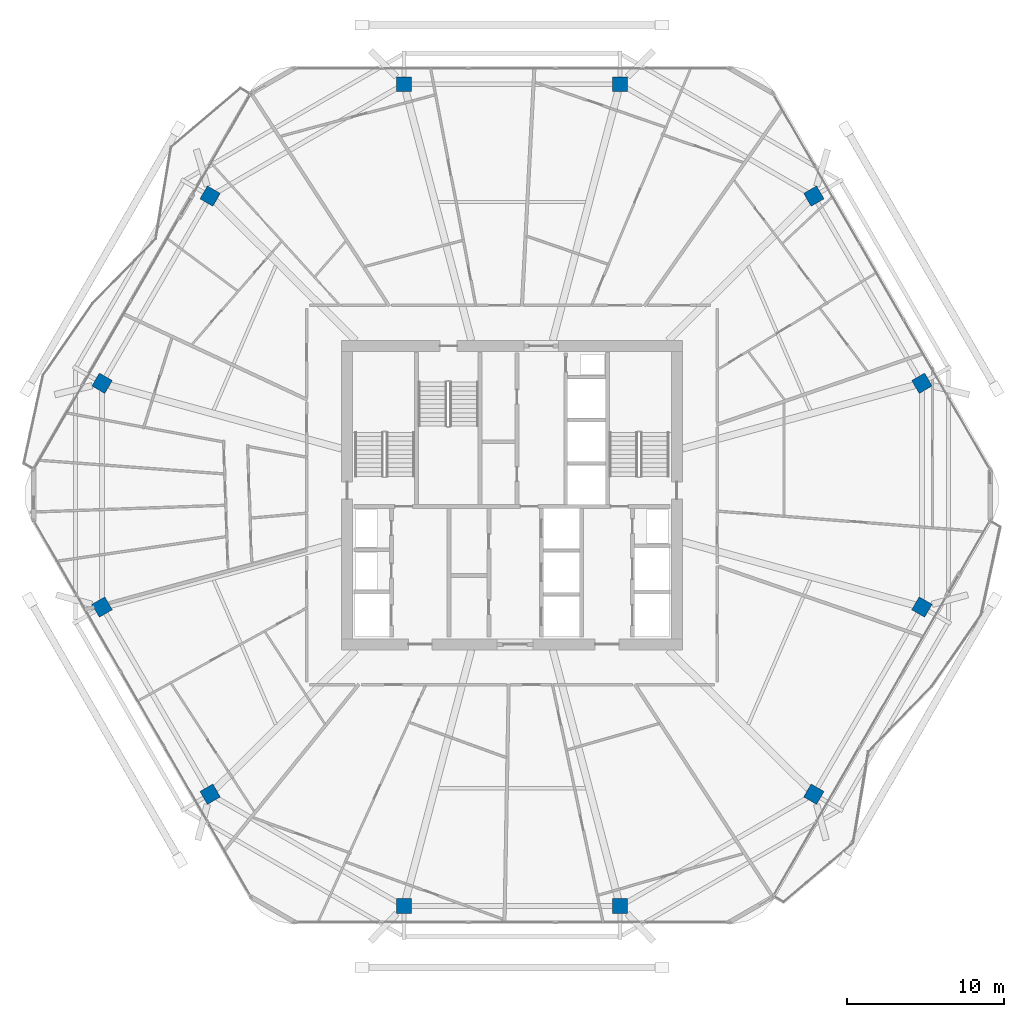
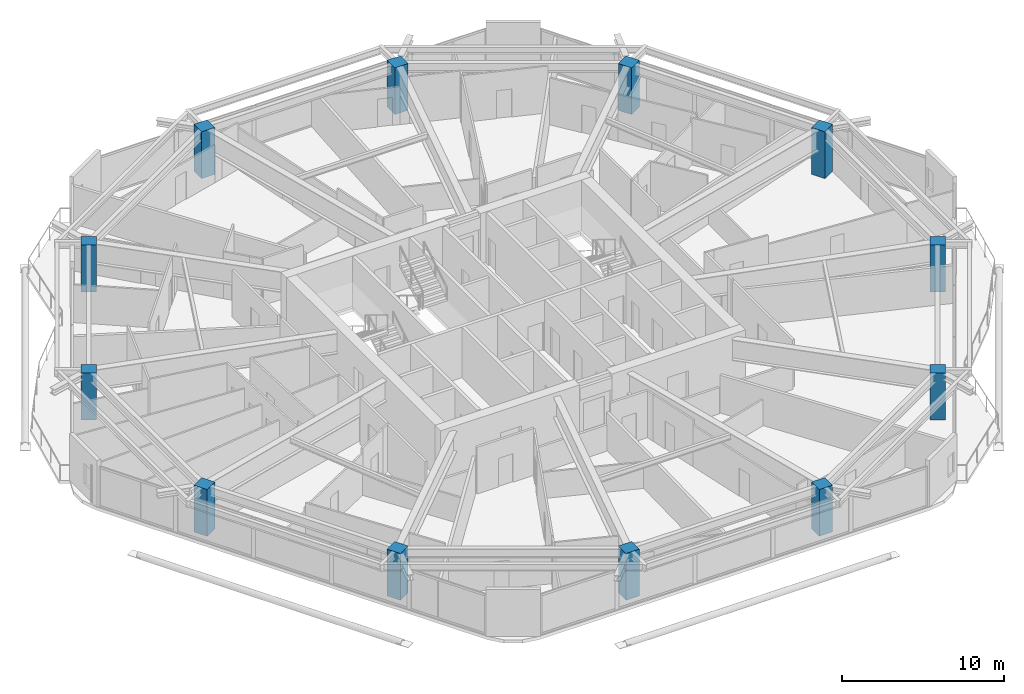
# One storey, part 1 of 28: 12 columns.
"""IFC4 building model written with IfcOpenShell, lengths in metres."""

from ifc_helpers import new_model, si_unit, direction, frame, origin, origin_2d, place, context, subcontext, project, spatial, rectangle, extrude, material, material_profile, profile_set, type_object, element, save


model = new_model("IFC4")

# Units and contexts
model_context = context("Model", 3, precision=1e-05, world=origin(), true_north=direction((0.0, 1.0)))
body_context = subcontext(model_context, "Body", "Model", "MODEL_VIEW")
ifc_project = project(units=[si_unit("LENGTHUNIT", "METRE"), si_unit("AREAUNIT", "SQUARE_METRE"), si_unit("VOLUMEUNIT", "CUBIC_METRE"), si_unit("PLANEANGLEUNIT", "RADIAN"), si_unit("MASSUNIT", "GRAM", prefix="KILO")], contexts=[model_context])

# Site, building, storey
site_placement = place(None, origin())
site = spatial("IfcSite", under=ifc_project, at=site_placement, CompositionType="ELEMENT")
building_placement = place(site_placement, origin())
building = spatial("IfcBuilding", under=site, at=building_placement, Name="Zuhravey Tower", CompositionType="ELEMENT")
storey_placement = place(building_placement, frame((0.0, 0.0, 222.60009765625)))
storey = spatial("IfcBuildingStorey", under=building, at=storey_placement, Name="L56", CompositionType="ELEMENT", Elevation=222.60009765625)

# Columns
ifc_material = material(Name="Concrete C50/60", Category="concrete")
ifc_material_profile = material_profile(ifc_material, rectangle(XDim=0.949951171875, YDim=0.949951171875, at=origin_2d()), Name="RC-950x950")
ifc_profile_set = profile_set([ifc_material_profile], Name="Concrete C50/60")
column_type = type_object("IfcColumnType", Name="Zone 2 Upper Column 950x950", PredefinedType="COLUMN", material=ifc_profile_set)
for number, where, z_axis, x_axis, name in (
    (1, (62.107666015625, 39.12646484375, 0.0), (0.0, 0.0, 1.0), (-0.5, 0.866025403784, 0.0), "L56 Perimeter Column PC01"),
    (2, (55.2255859375, 51.046630859375, 0.0), (0.0, 0.0, 1.0), (-0.5, 0.866025403784, 0.0), "L56 Perimeter Column PC02"),
    (3, (42.882080078125, 58.173095703125, 0.0), (0.0, 0.0, 1.0), (-1.0, 0.0, 0.0), "L56 Perimeter Column PC03"),
    (4, (29.117919921875, 58.173095703125, 0.0), (0.0, 0.0, 1.0), (-1.0, 0.0, 0.0), "L56 Perimeter Column PC04"),
    (5, (16.7744140625, 51.046630859375, 0.0), (0.0, 0.0, 1.0), (-0.5, -0.866025403784, 0.0), "L56 Perimeter Column PC05"),
    (6, (9.892333984375, 39.12646484375, 0.0), (0.0, 0.0, 1.0), (-0.5, -0.866025403784, 0.0), "L56 Perimeter Column PC06"),
    (7, (9.892333984375, 24.87353515625, 0.0), (0.0, 0.0, 1.0), (0.5, -0.866025403784, 0.0), "L56 Perimeter Column PC07"),
    (8, (16.7744140625, 12.953369140625, 0.0), (0.0, 0.0, 1.0), (0.5, -0.866025403784, 0.0), "L56 Perimeter Column PC08"),
    (9, (29.117919921875, 5.826904296875, 0.0), (0.0, 0.0, 1.0), (1.0, 0.0, 0.0), "L56 Perimeter Column PC09"),
    (10, (42.882080078125, 5.826904296875, 0.0), (0.0, 0.0, 1.0), (1.0, 0.0, 0.0), "L56 Perimeter Column PC10"),
    (11, (55.2255859375, 12.953369140625, 0.0), (0.0, 0.0, 1.0), (0.5, 0.866025403784, 0.0), "L56 Perimeter Column PC11"),
    (12, (62.107666015625, 24.87353515625, 0.0), (0.0, 0.0, 1.0), (0.5, 0.866025403784, 0.0), "L56 Perimeter Column PC12"),
):
    element("IfcColumn", number, at=place(storey_placement, frame(where, z_axis=z_axis, x_axis=x_axis)), inside=storey, type_object=column_type, Name=name, PredefinedType="COLUMN", context=body_context, shape_type="SweptSolid", body=[
        extrude(rectangle(XDim=0.949951171875, YDim=0.949951171875, at=origin_2d()), origin(), (0.0, 0.0, 1.0), 3.52001953125),
    ])

save(model, "model.ifc")
